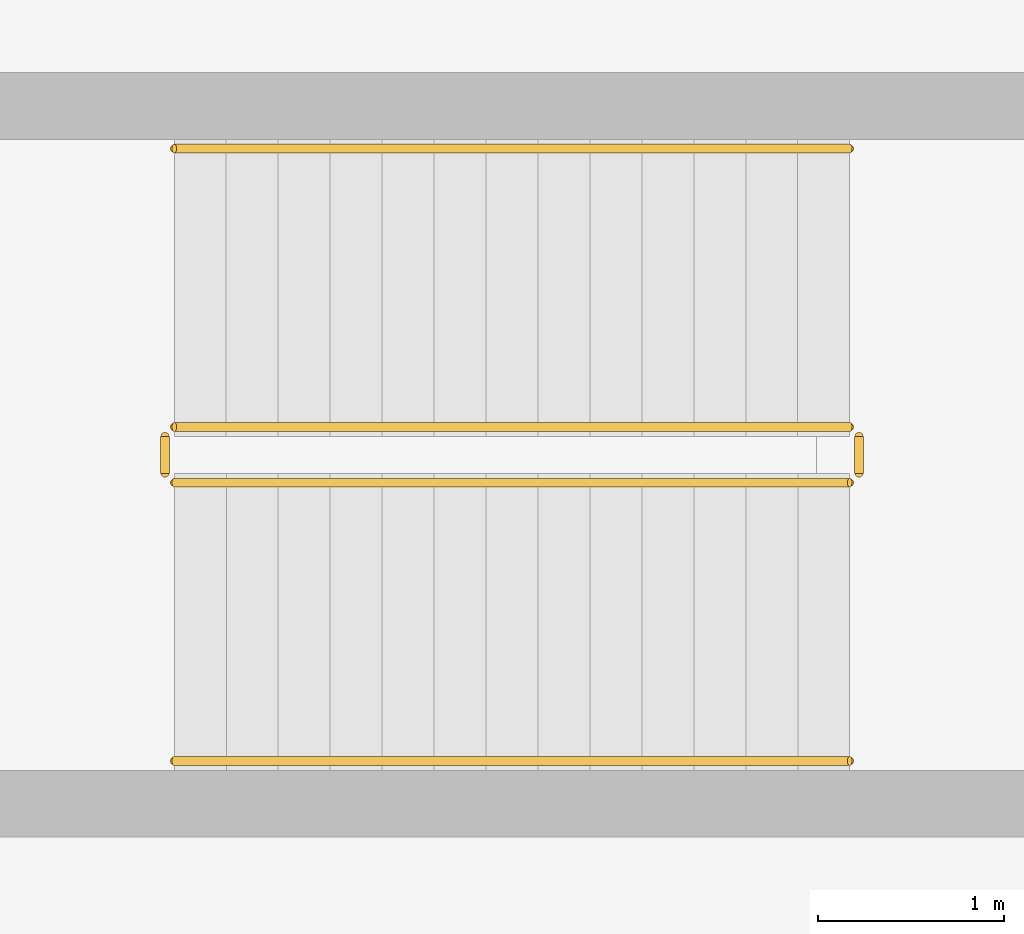
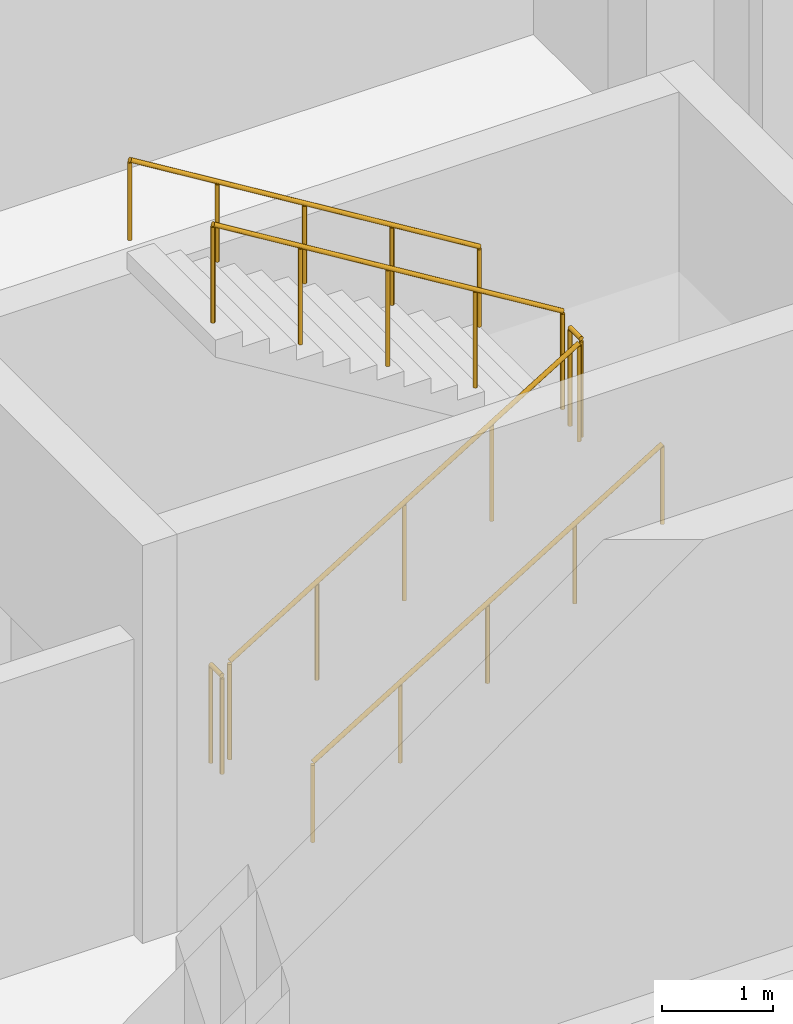
# One storey, part 24 of 28: 6 railings.
"""IFC4 building model written with IfcOpenShell, lengths in metres."""

import ifcopenshell
import ifcopenshell.guid

model = None  # the IFC model being written
_history = None  # IfcOwnerHistory: only IFC2X3 demands one
_inside = {}  # id of a spatial element -> (the spatial element, [elements in it])
_under = {}  # id of a project, library or spatial element -> (it, [spatial elements below it])
_declared = {}  # id of a project -> (the project, [libraries it declares])
_typed = {}  # id of a type object -> (the type object, [elements of that type])
_made_of = {}  # id of a material, layer set ... -> (it, [elements and type objects made of it])


def new_model(schema):
    """Start an empty IFC model of exactly this schema.

    Asked for "IFC4X3", IfcOpenShell would pick the latest addendum, in which some entities
    have other attributes; the version numbers below select the first issue.
    IFC2X3 requires an IfcOwnerHistory on every rooted entity: one is made here for all.
    """
    global model, _history
    if schema == "IFC4X3":
        model = ifcopenshell.file(schema_version=(4, 3, 0, 0))
    else:
        model = ifcopenshell.file(schema=schema)
    _inside.clear()
    _under.clear()
    _declared.clear()
    _typed.clear()
    _made_of.clear()
    _history = None
    if model.schema == "IFC2X3":
        org = make("IfcOrganization", Name="unknown")
        user = make(
            "IfcPersonAndOrganization",
            ThePerson=make("IfcPerson", FamilyName="unknown"),
            TheOrganization=org,
        )
        app = make(
            "IfcApplication",
            ApplicationDeveloper=org,
            Version="unknown",
            ApplicationFullName="unknown",
            ApplicationIdentifier="unknown",
        )
        _history = make(
            "IfcOwnerHistory",
            OwningUser=user,
            OwningApplication=app,
            ChangeAction="ADDED",
            CreationDate=0,
        )
    return model


def make(cls, **values):
    """One entity of the class cls with the attributes given. An attribute that is None is left unset."""
    return model.create_entity(
        cls, **{name: value for name, value in values.items() if value is not None}
    )


def rooted(cls, **values):
    """An entity with a GlobalId (a new one), such as an element, a storey or a relation."""
    return make(cls, GlobalId=ifcopenshell.guid.new(), OwnerHistory=_history, **values)


def si_unit(unit_type, name, prefix=None):
    """IfcSIUnit, for example si_unit("LENGTHUNIT", "METRE", prefix="MILLI")."""
    return make("IfcSIUnit", UnitType=unit_type, Prefix=prefix, Name=name)


def assignment(units):
    """IfcUnitAssignment: the units of a project."""
    return None if units is None else make("IfcUnitAssignment", Units=units)


def point(xyz):
    """IfcCartesianPoint."""
    return None if xyz is None else make("IfcCartesianPoint", Coordinates=xyz)


def direction(xyz):
    """IfcDirection."""
    return None if xyz is None else make("IfcDirection", DirectionRatios=xyz)


def frame(location, z_axis=None, x_axis=None):
    """IfcAxis2Placement3D, a coordinate frame: its origin and axes. An axis left out is left unset."""
    return make(
        "IfcAxis2Placement3D",
        Location=point(location),
        Axis=direction(z_axis),
        RefDirection=direction(x_axis),
    )


def frame_2d(location, x_axis=None):
    """IfcAxis2Placement2D, a coordinate frame in the plane: its origin and x axis."""
    return make(
        "IfcAxis2Placement2D", Location=point(location), RefDirection=direction(x_axis)
    )


def origin():
    """The frame at (0, 0, 0) with its axes left unset."""
    return frame((0.0, 0.0, 0.0))


def origin_2d():
    """The frame at (0, 0) in the plane with its x axis left unset."""
    return frame_2d((0.0, 0.0))


def place(relative_to, where):
    """IfcLocalPlacement: puts the frame where relative to a parent placement (None: the world)."""
    return make(
        "IfcLocalPlacement", PlacementRelTo=relative_to, RelativePlacement=where
    )


def context(
    kind, dimensions, precision=None, world=None, true_north=None, identifier=None
):
    """IfcGeometricRepresentationContext, for example the 3D "Model" context."""
    return make(
        "IfcGeometricRepresentationContext",
        ContextIdentifier=identifier,
        ContextType=kind,
        CoordinateSpaceDimension=dimensions,
        Precision=precision,
        WorldCoordinateSystem=world,
        TrueNorth=true_north,
    )


def subcontext(parent, identifier, kind, view, scale=None):
    """IfcGeometricRepresentationSubContext, for example "Body" below "Model"."""
    return make(
        "IfcGeometricRepresentationSubContext",
        ContextIdentifier=identifier,
        ContextType=kind,
        ParentContext=parent,
        TargetScale=scale,
        TargetView=view,
    )


def project(units=None, contexts=None):
    """IfcProject with its units and contexts."""
    return rooted(
        "IfcProject",
        Name="project",
        RepresentationContexts=contexts,
        UnitsInContext=assignment(units),
    )


def spatial(cls, under=None, at=None, **own):
    """A site, building, storey or space (cls), placed at a placement, below another one or the project."""
    s = rooted(cls, ObjectPlacement=at, **own)
    if under is not None:
        _under.setdefault(under.id(), (under, []))[1].append(s)
    return s


def profile(cls, at=None, kind="AREA", **sizes):
    """A parametric profile (cls). Its sizes go by their IFC names, for example OverallWidth=200.0."""
    return make(cls, ProfileType=kind, Position=at, **sizes)


def circle(**sizes):
    """IfcCircleProfileDef."""
    return profile("IfcCircleProfileDef", **sizes)


def extrude(swept, where, along, depth):
    """IfcExtrudedAreaSolid: the profile swept, set in the frame where, extruded along a direction by depth."""
    return make(
        "IfcExtrudedAreaSolid",
        SweptArea=swept,
        Position=where,
        ExtrudedDirection=direction(along),
        Depth=depth,
    )


def shape(context_of_items, identifier, shape_type, items):
    """IfcShapeRepresentation: the items that make up one representation, for example the "Body"."""
    return make(
        "IfcShapeRepresentation",
        ContextOfItems=context_of_items,
        RepresentationIdentifier=identifier,
        RepresentationType=shape_type,
        Items=items,
    )


def material(Name=None, Category=None):
    """IfcMaterial."""
    return make("IfcMaterial", Name=Name, Category=Category)


def made_of(thing, what):
    """Note that an element or type object is made of a material, layer set ...; save() writes the relation."""
    if what is not None:
        _made_of.setdefault(what.id(), (what, []))[1].append(thing)
    return thing


def type_object(cls, material=None, **own):
    """A type object (cls), such as IfcWallType, which elements share."""
    return made_of(rooted(cls, **own), material)


def element(
    cls,
    number,
    at=None,
    inside=None,
    cuts=None,
    type_object=None,
    material=None,
    context=None,
    identifier="Body",
    shape_type=None,
    held_by="IfcProductDefinitionShape",
    body=None,
    shapes=None,
    **own,
):
    """One element of the class cls, such as IfcWall. Its Tag is "e" and its number.

    at: its placement. inside: the storey or other place that contains it. cuts: it is an
    opening in that element (IfcRelVoidsElement). A single representation is given by context,
    identifier, shape_type and body (its items); several are given by shapes. held_by: the class
    of the entity that holds the representations. save() writes the other relations.
    """
    e = rooted(cls, Tag="e%d" % number, ObjectPlacement=at, **own)
    if body is not None:
        shapes = [shape(context, identifier, shape_type, body)]
    if shapes is not None:
        e.Representation = make(held_by, Representations=shapes)
    if inside is not None:
        _inside.setdefault(inside.id(), (inside, []))[1].append(e)
    if cuts is not None:
        rooted(
            "IfcRelVoidsElement", RelatingBuildingElement=cuts, RelatedOpeningElement=e
        )
    if type_object is not None:
        _typed.setdefault(type_object.id(), (type_object, []))[1].append(e)
    return made_of(e, material)


def aggregate(whole, parts):
    """IfcRelAggregates: a whole, such as a stair, and the parts it consists of."""
    return rooted("IfcRelAggregates", RelatingObject=whole, RelatedObjects=parts)


def save(model, path):
    """Write the relations noted so far, then the file.

    IfcRelAggregates (storeys below a building ...), IfcRelContainedInSpatialStructure (elements
    in a storey), IfcRelDefinesByType, IfcRelAssociatesMaterial and IfcRelDeclares: one each for
    every whole, place, type object, material and project.
    """
    for whole, parts in _under.values():
        aggregate(whole, parts)
    for where, things in _inside.values():
        rooted(
            "IfcRelContainedInSpatialStructure",
            RelatedElements=things,
            RelatingStructure=where,
        )
    for kind, things in _typed.values():
        rooted("IfcRelDefinesByType", RelatedObjects=things, RelatingType=kind)
    for what, things in _made_of.values():
        rooted("IfcRelAssociatesMaterial", RelatedObjects=things, RelatingMaterial=what)
    for by, libraries in _declared.values():
        rooted("IfcRelDeclares", RelatingContext=by, RelatedDefinitions=libraries)
    model.write(path)


model = new_model("IFC4")

# Units and contexts
model_context = context("Model", 3, precision=1e-05, world=origin(), true_north=direction((0.0, 1.0)))
body_context = subcontext(model_context, "Body", "Model", "MODEL_VIEW")
ifc_project = project(units=[si_unit("LENGTHUNIT", "METRE"), si_unit("AREAUNIT", "SQUARE_METRE"), si_unit("VOLUMEUNIT", "CUBIC_METRE"), si_unit("PLANEANGLEUNIT", "RADIAN"), si_unit("MASSUNIT", "GRAM", prefix="KILO")], contexts=[model_context])

# Site, building, storey
site_placement = place(None, origin())
site = spatial("IfcSite", under=ifc_project, at=site_placement, CompositionType="ELEMENT")
building_placement = place(site_placement, origin())
building = spatial("IfcBuilding", under=site, at=building_placement, Name="Zereglee Splitstone Museum", CompositionType="ELEMENT")
storey_placement = place(building_placement, frame((0.0, 0.0, -4.800048828125)))
storey = spatial("IfcBuildingStorey", under=building, at=storey_placement, Name="B1", CompositionType="ELEMENT", Elevation=-4.800048828125)

# Railings
ifc_material_1 = material(Name="Painted steel S355J2 post-and-baluster guard", Category="steel")
railing_type_1 = type_object("IfcRailingType", Name="GR-03", PredefinedType="BALUSTRADE", material=ifc_material_1)
railing_1_placement = place(storey_placement, frame((187.85009765625, 4.64990234375, 0.17138671875)))
element("IfcRailing", 1, at=railing_1_placement, inside=storey, type_object=railing_type_1, Name="B1 ST-04 stair guard 1", PredefinedType="BALUSTRADE", context=body_context, shape_type="SweptSolid", body=[
    extrude(circle(Radius=0.02392578125, at=origin_2d()), frame((0.0, 0.0, 1.076416015625), z_axis=(0.852824790078, 0.0, 0.522197163366), x_axis=(0.0, 1.0, 0.0)), (0.0, 0.0, 1.0), 4.26806640625),
    extrude(circle(Radius=0.02099609375, at=origin_2d()), origin(), (0.0, 0.0, 1.0), 1.052001953125),
    extrude(circle(Radius=0.02099609375, at=origin_2d()), frame((0.909912109375, 0.0, 0.55712890625)), (0.0, 0.0, 1.0), 1.052001953125),
    extrude(circle(Radius=0.02099609375, at=origin_2d()), frame((1.81982421875, 0.0, 1.1142578125)), (0.0, 0.0, 1.0), 1.052001953125),
    extrude(circle(Radius=0.02099609375, at=origin_2d()), frame((2.72998046875, 0.0, 1.671630859375)), (0.0, 0.0, 1.0), 1.052001953125),
    extrude(circle(Radius=0.02099609375, at=origin_2d()), frame((3.639892578125, 0.0, 2.228759765625)), (0.0, 0.0, 1.0), 1.052001953125),
])
railing_2_placement = place(storey_placement, frame((191.5400390625, 4.699951171875, 2.400146484375)))
element("IfcRailing", 2, at=railing_2_placement, inside=storey, type_object=railing_type_1, Name="B1 ST-04 stair guard 2", PredefinedType="BALUSTRADE", context=body_context, shape_type="SweptSolid", body=[
    extrude(circle(Radius=0.02392578125, at=origin_2d()), frame((0.0, 0.0, 1.076416015625), z_axis=(0.0, 1.0, 0.0), x_axis=(-1.0, 0.0, 0.0)), (0.0, 0.0, 1.0), 0.199951171875),
    extrude(circle(Radius=0.02099609375, at=origin_2d()), origin(), (0.0, 0.0, 1.0), 1.052001953125),
    extrude(circle(Radius=0.02099609375, at=origin_2d()), frame((0.0, 0.199951171875, 0.0)), (0.0, 0.0, 1.0), 1.052001953125),
])
railing_3_placement = place(storey_placement, frame((191.489990234375, 4.949951171875, 2.571533203125)))
element("IfcRailing", 3, at=railing_3_placement, inside=storey, type_object=railing_type_1, Name="B1 ST-04 stair guard 3", PredefinedType="BALUSTRADE", context=body_context, shape_type="SweptSolid", body=[
    extrude(circle(Radius=0.02392578125, at=origin_2d()), frame((0.0, 0.0, 1.076416015625), z_axis=(-0.852850264322, 0.0, 0.5221555579), x_axis=(0.0, -1.0, 0.0)), (0.0, 0.0, 1.0), 4.267822265625),
    extrude(circle(Radius=0.02099609375, at=origin_2d()), origin(), (0.0, 0.0, 1.0), 1.052001953125),
    extrude(circle(Radius=0.02099609375, at=origin_2d()), frame((-0.909912109375, 0.0, 0.55712890625)), (0.0, 0.0, 1.0), 1.052001953125),
    extrude(circle(Radius=0.02099609375, at=origin_2d()), frame((-1.81982421875, 0.0, 1.1142578125)), (0.0, 0.0, 1.0), 1.052001953125),
    extrude(circle(Radius=0.02099609375, at=origin_2d()), frame((-2.72998046875, 0.0, 1.67138671875)), (0.0, 0.0, 1.0), 1.052001953125),
    extrude(circle(Radius=0.02099609375, at=origin_2d()), frame((-3.639892578125, 0.0, 2.228515625)), (0.0, 0.0, 1.0), 1.052001953125),
])
railing_4_placement = place(storey_placement, frame((187.800048828125, 4.699951171875, 0.0)))
element("IfcRailing", 4, at=railing_4_placement, inside=storey, type_object=railing_type_1, Name="B1 ST-04 stair guard 4", PredefinedType="BALUSTRADE", context=body_context, shape_type="SweptSolid", body=[
    extrude(circle(Radius=0.02392578125, at=origin_2d()), frame((0.0, 0.0, 1.076416015625), z_axis=(0.0, 1.0, 0.0), x_axis=(-1.0, 0.0, 0.0)), (0.0, 0.0, 1.0), 0.199951171875),
    extrude(circle(Radius=0.02099609375, at=origin_2d()), origin(), (0.0, 0.0, 1.0), 1.052001953125),
    extrude(circle(Radius=0.02099609375, at=origin_2d()), frame((0.0, 0.199951171875, 0.0)), (0.0, 0.0, 1.0), 1.052001953125),
])
ifc_material_2 = material(Name="Architectural bronze tubular handrail", Category="steel")
railing_type_2 = type_object("IfcRailingType", Name="HR-01", PredefinedType="HANDRAIL", material=ifc_material_2)
railing_5_placement = place(storey_placement, frame((187.85009765625, 3.14990234375, 0.17138671875)))
element("IfcRailing", 5, at=railing_5_placement, inside=storey, type_object=railing_type_2, Name="B1 ST-04 stair handrail 1", PredefinedType="HANDRAIL", context=body_context, shape_type="SweptSolid", body=[
    extrude(circle(Radius=0.02392578125, at=origin_2d()), frame((0.0, 0.0, 0.8759765625), z_axis=(0.852824790078, 0.0, 0.522197163366), x_axis=(0.0, 1.0, 0.0)), (0.0, 0.0, 1.0), 4.26806640625),
    extrude(circle(Radius=0.02099609375, at=origin_2d()), origin(), (0.0, 0.0, 1.0), 0.851806640625),
    extrude(circle(Radius=0.02099609375, at=origin_2d()), frame((0.909912109375, 0.0, 0.55712890625)), (0.0, 0.0, 1.0), 0.851806640625),
    extrude(circle(Radius=0.02099609375, at=origin_2d()), frame((1.81982421875, 0.0, 1.1142578125)), (0.0, 0.0, 1.0), 0.851806640625),
    extrude(circle(Radius=0.02099609375, at=origin_2d()), frame((2.72998046875, 0.0, 1.671630859375)), (0.0, 0.0, 1.0), 0.851806640625),
    extrude(circle(Radius=0.02099609375, at=origin_2d()), frame((3.639892578125, 0.0, 2.228759765625)), (0.0, 0.0, 1.0), 0.851806640625),
])
railing_6_placement = place(storey_placement, frame((191.489990234375, 6.449951171875, 2.571533203125)))
element("IfcRailing", 6, at=railing_6_placement, inside=storey, type_object=railing_type_2, Name="B1 ST-04 stair handrail 2", PredefinedType="HANDRAIL", context=body_context, shape_type="SweptSolid", body=[
    extrude(circle(Radius=0.02392578125, at=origin_2d()), frame((0.0, 0.0, 0.8759765625), z_axis=(-0.852850264322, 0.0, 0.5221555579), x_axis=(0.0, -1.0, 0.0)), (0.0, 0.0, 1.0), 4.267822265625),
    extrude(circle(Radius=0.02099609375, at=origin_2d()), origin(), (0.0, 0.0, 1.0), 0.851806640625),
    extrude(circle(Radius=0.02099609375, at=origin_2d()), frame((-0.909912109375, 0.0, 0.55712890625)), (0.0, 0.0, 1.0), 0.851806640625),
    extrude(circle(Radius=0.02099609375, at=origin_2d()), frame((-1.81982421875, 0.0, 1.1142578125)), (0.0, 0.0, 1.0), 0.851806640625),
    extrude(circle(Radius=0.02099609375, at=origin_2d()), frame((-2.72998046875, 0.0, 1.67138671875)), (0.0, 0.0, 1.0), 0.851806640625),
    extrude(circle(Radius=0.02099609375, at=origin_2d()), frame((-3.639892578125, 0.0, 2.228515625)), (0.0, 0.0, 1.0), 0.851806640625),
])

save(model, "model.ifc")
